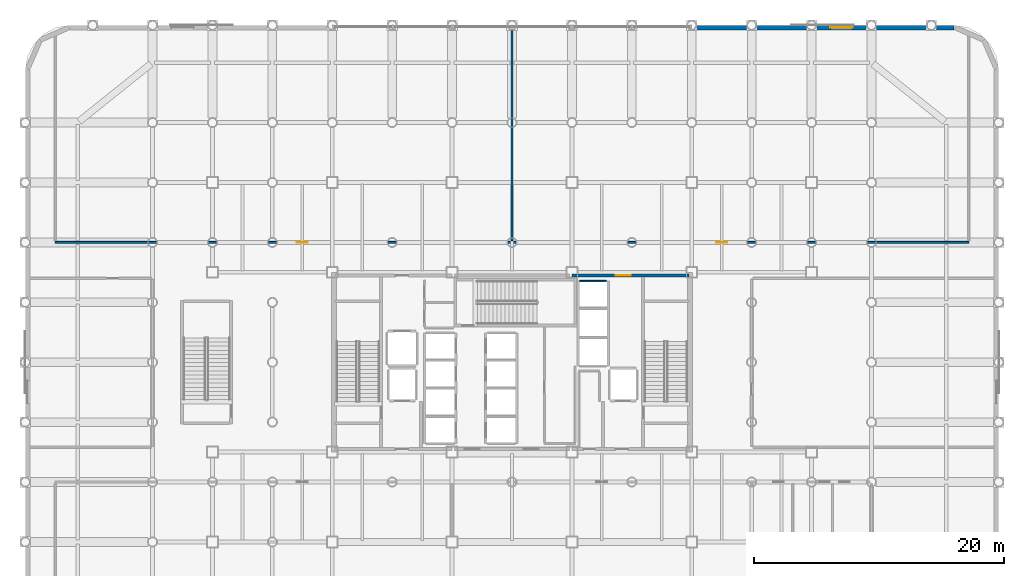
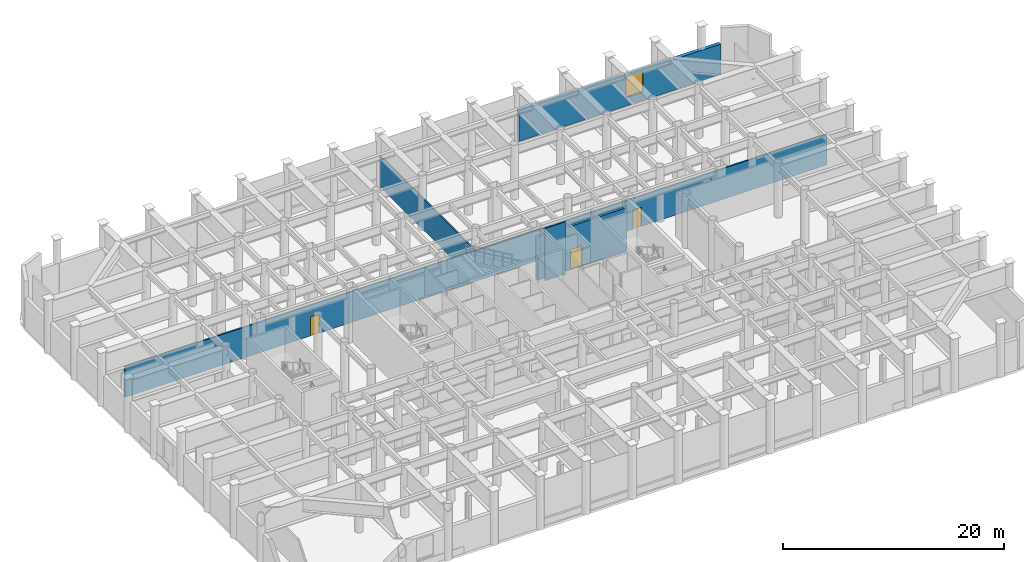
# One storey, part 19 of 26: 5 walls, 3 doors, 1 window, 4 openings.
"""IFC4 building model written with IfcOpenShell, lengths in metres."""

from ifc_helpers import new_model, si_unit, direction, frame, frame_2d, origin, place, context, subcontext, project, spatial, rectangle, extrude, material, layer, layer_set, type_object, element, fill, save


model = new_model("IFC4")

# Units and contexts
model_context = context("Model", 3, precision=1e-05, world=origin(), true_north=direction((0.0, 1.0)))
body_context = subcontext(model_context, "Body", "Model", "MODEL_VIEW")
ifc_project = project(units=[si_unit("LENGTHUNIT", "METRE"), si_unit("AREAUNIT", "SQUARE_METRE"), si_unit("VOLUMEUNIT", "CUBIC_METRE"), si_unit("PLANEANGLEUNIT", "RADIAN"), si_unit("MASSUNIT", "GRAM", prefix="KILO")], contexts=[model_context])

# Site, building, storey
site_placement = place(None, origin())
site = spatial("IfcSite", under=ifc_project, at=site_placement, CompositionType="ELEMENT")
building_placement = place(site_placement, origin())
building = spatial("IfcBuilding", under=site, at=building_placement, Name="Kallvorn Hotel Tower", CompositionType="ELEMENT")
storey_placement = place(building_placement, frame((0.0, 0.0, 6.0)))
storey = spatial("IfcBuildingStorey", under=building, at=storey_placement, Name="L01", CompositionType="ELEMENT", Elevation=6.0)

# Wall, opening, window
ifc_material_1 = material(Name="Precast basalt-clad insulated concrete wall C40/50", Category="masonry")
ifc_layer_1 = layer(ifc_material_1, 0.3798828125)
ifc_layer_set_1 = layer_set([ifc_layer_1], Name="WL_EXT_PODIUM_380")
wall_type_1 = type_object("IfcWallType", Name="WL_EXT_PODIUM_380", PredefinedType="SOLIDWALL", material=ifc_layer_set_1)
wall_1_placement = place(storey_placement, frame((14.35009765625, 26.81005859375, 0.0), z_axis=(0.0, 0.0, 1.0), x_axis=(1.0, 0.0, 0.0)))
wall_1 = element("IfcWall", 1, at=wall_1_placement, inside=storey, type_object=wall_type_1, Name="L01 Podium Exterior Wall EW-L01-NE", PredefinedType="SOLIDWALL", context=body_context, shape_type="SweptSolid", body=[
    extrude(rectangle(XDim=21.0498046875, YDim=0.3798828125, at=frame_2d((10.52490234375, 0.0))), origin(), (0.0, 0.0, 1.0), 3.3798828125),
])
opening_1_placement = place(wall_1_placement, frame((11.14990234375, 0.0, 0.89990234375)))
opening_1 = element("IfcOpeningElement", 2, at=opening_1_placement, cuts=wall_1, Name="Opening W02", PredefinedType="OPENING", context=body_context, shape_type="SweptSolid", body=[
    extrude(rectangle(XDim=1.800048828125, YDim=2.300048828125, at=frame_2d((0.89990234375, 1.14990234375))), frame((0.0, 0.204833984375, 0.0), z_axis=(0.0, -1.0, 0.0), x_axis=(1.0, 0.0, 0.0)), (0.0, 0.0, 1.0), 0.409912109375),
])
ifc_material_2 = material(Name="Double-glazed low-e solar-control dark glass", Category="glass")
window_type = type_object("IfcWindowType", Name="WN_POD_1800x2300", PartitioningType="SINGLE_PANEL", PredefinedType="WINDOW", material=ifc_material_2)
window_placement = place(opening_1_placement, origin())
window = element("IfcWindow", 3, at=window_placement, inside=storey, type_object=window_type, Name="L01 Podium Window EW-L01-NE", OverallHeight=2.300048828125, OverallWidth=1.800048828125, PartitioningType="SINGLE_PANEL", PredefinedType="WINDOW", context=body_context, shape_type="SweptSolid", body=[
    extrude(rectangle(XDim=1.800048828125, YDim=2.300048828125, at=frame_2d((0.89990234375, 1.14990234375))), frame((0.0, 0.030029296875, 0.0), z_axis=(0.0, -1.0, 0.0), x_axis=(1.0, 0.0, 0.0)), (0.0, 0.0, 1.0), 0.06005859375),
])
fill(opening_1, window)

# Wall
ifc_material_3 = material(Name="Fire-rated double-layer acoustic gypsum drywall EI 60")
ifc_layer_2 = layer(ifc_material_3, 0.1201171875)
ifc_layer_set_2 = layer_set([ifc_layer_2], Name="WL_INT_120")
wall_type_2 = type_object("IfcWallType", Name="WL_INT_120", PredefinedType="PARTITIONING", material=ifc_layer_set_2)
wall_2_placement = place(storey_placement, frame((5.43994140625, 6.5, 0.0), z_axis=(0.0, 0.0, 1.0), x_axis=(1.0, 0.0, 0.0)))
element("IfcWall", 4, at=wall_2_placement, inside=storey, type_object=wall_type_2, Name="L01 OB-03 Hoistway Divider", PredefinedType="PARTITIONING", context=body_context, shape_type="SweptSolid", body=[
    extrude(rectangle(XDim=2.1201171875, YDim=0.1201171875, at=frame_2d((1.06005859375, 0.0))), origin(), (0.0, 0.0, 1.0), 5.780029296875),
])

# Wall, openings, doors
ifc_material_4 = material(Name="Fire-rated double-layer acoustic gypsum drywall EI 60")
ifc_layer_3 = layer(ifc_material_4, 0.14990234375)
ifc_layer_set_3 = layer_set([ifc_layer_3], Name="WL_PART_150")
wall_type_3 = type_object("IfcWallType", Name="WL_PART_150", PredefinedType="PARTITIONING", material=ifc_layer_set_3)
wall_3_placement = place(storey_placement, frame((-36.60009765625, 9.60009765625, 0.0), z_axis=(0.0, 0.0, 1.0), x_axis=(1.0, 0.0, 0.0)))
wall_3 = element("IfcWall", 5, at=wall_3_placement, inside=storey, type_object=wall_type_3, Name="L01 Executive Business Centre Open-Plan Office Partition", PredefinedType="PARTITIONING", context=body_context, shape_type="SweptSolid", body=[
    extrude(rectangle(XDim=73.2001953125, YDim=0.14990234375, at=frame_2d((36.60009765625, 0.0))), origin(), (0.0, 0.0, 1.0), 3.3798828125),
])
opening_2_placement = place(wall_3_placement, frame((19.35009765625, 0.0, 0.0)))
opening_2 = element("IfcOpeningElement", 6, at=opening_2_placement, cuts=wall_3, Name="Opening SVD1", PredefinedType="OPENING", context=body_context, shape_type="SweptSolid", body=[
    extrude(rectangle(XDim=0.89990234375, YDim=2.10009765625, at=frame_2d((0.449951171875, 1.050048828125))), frame((0.0, 0.08984375, 0.0), z_axis=(0.0, -1.0, 0.0), x_axis=(1.0, 0.0, 0.0)), (0.0, 0.0, 1.0), 0.179931640625),
])
opening_3_placement = place(wall_3_placement, frame((52.949951171875, 0.0, 0.0)))
opening_3 = element("IfcOpeningElement", 7, at=opening_3_placement, cuts=wall_3, Name="Opening SVD1", PredefinedType="OPENING", context=body_context, shape_type="SweptSolid", body=[
    extrude(rectangle(XDim=0.89990234375, YDim=2.10009765625, at=frame_2d((0.449951171875, 1.050048828125))), frame((0.0, 0.08984375, 0.0), z_axis=(0.0, -1.0, 0.0), x_axis=(1.0, 0.0, 0.0)), (0.0, 0.0, 1.0), 0.179931640625),
])
ifc_material_5 = material(Name="Galvanised painted steel fire-rated door assembly", Category="steel")
door_type_1 = type_object("IfcDoorType", Name="DR_SERV_900x2100", OperationType="NOTDEFINED", PredefinedType="DOOR", material=ifc_material_5)
door_1_placement = place(opening_2_placement, origin())
door_1 = element("IfcDoor", 8, at=door_1_placement, inside=storey, type_object=door_type_1, Name="L01 Executive Business Centre Open-Plan Office Door", OperationType="SINGLE_SWING_RIGHT", OverallHeight=2.10009765625, OverallWidth=0.89990234375, PredefinedType="DOOR", context=body_context, shape_type="SweptSolid", body=[
    extrude(rectangle(XDim=0.89990234375, YDim=2.10009765625, at=frame_2d((0.449951171875, 1.050048828125))), frame((0.0, 0.02490234375, 0.0), z_axis=(0.0, -1.0, 0.0), x_axis=(1.0, 0.0, 0.0)), (0.0, 0.0, 1.0), 0.050048828125),
])
fill(opening_2, door_1)
door_2_placement = place(opening_3_placement, origin())
door_2 = element("IfcDoor", 9, at=door_2_placement, inside=storey, type_object=door_type_1, Name="L01 Hotel Administration Open-Plan Office Door", OperationType="SINGLE_SWING_RIGHT", OverallHeight=2.10009765625, OverallWidth=0.89990234375, PredefinedType="DOOR", context=body_context, shape_type="SweptSolid", body=[
    extrude(rectangle(XDim=0.89990234375, YDim=2.10009765625, at=frame_2d((0.449951171875, 1.050048828125))), frame((0.0, 0.02490234375, 0.0), z_axis=(0.0, -1.0, 0.0), x_axis=(1.0, 0.0, 0.0)), (0.0, 0.0, 1.0), 0.050048828125),
])
fill(opening_3, door_2)

# Wall
wall_4_placement = place(storey_placement, frame((0.0, 9.75, 0.0), z_axis=(0.0, 0.0, 1.0), x_axis=(0.0, 1.0, 0.0)))
element("IfcWall", 10, at=wall_4_placement, inside=storey, type_object=wall_type_3, Name="L01 Executive Business Centre Open-Plan Office Partition", PredefinedType="PARTITIONING", context=body_context, shape_type="SweptSolid", body=[
    extrude(rectangle(XDim=17.044921875, YDim=0.14990234375, at=frame_2d((8.5224609375, 0.0))), origin(), (0.0, 0.0, 1.0), 3.3798828125),
])

# Wall, opening, door
ifc_material_6 = material(Name="Concrete C40/50", Category="concrete")
ifc_layer_4 = layer(ifc_material_6, 0.25)
ifc_layer_set_4 = layer_set([ifc_layer_4], Name="WL_SHAFT_250")
wall_type_4 = type_object("IfcWallType", Name="WL_SHAFT_250", PredefinedType="SOLIDWALL", material=ifc_layer_set_4)
wall_5_placement = place(storey_placement, frame((4.800048828125, 6.949951171875, 0.0), z_axis=(0.0, 0.0, 1.0), x_axis=(1.0, 0.0, 0.0)))
wall_5 = element("IfcWall", 11, at=wall_5_placement, inside=storey, type_object=wall_type_4, Name="L01 Core North-East Wall", PredefinedType="SOLIDWALL", context=body_context, shape_type="SweptSolid", body=[
    extrude(rectangle(XDim=9.39990234375, YDim=0.25, at=frame_2d((4.699951171875, 0.0))), origin(), (0.0, 0.0, 1.0), 4.780029296875),
])
opening_4_placement = place(wall_5_placement, frame((3.5, 0.0, 0.0)))
opening_4 = element("IfcOpeningElement", 12, at=opening_4_placement, cuts=wall_5, Name="Opening FD2", PredefinedType="OPENING", context=body_context, shape_type="SweptSolid", body=[
    extrude(rectangle(XDim=1.199951171875, YDim=2.199951171875, at=frame_2d((0.60009765625, 1.10009765625))), frame((0.0, 0.139892578125, 0.0), z_axis=(0.0, -1.0, 0.0), x_axis=(1.0, 0.0, 0.0)), (0.0, 0.0, 1.0), 0.280029296875),
])
ifc_material_7 = material(Name="Galvanised painted steel fire-rated door assembly", Category="steel")
door_type_2 = type_object("IfcDoorType", Name="DR_LOBBY_1200x2200", OperationType="DOUBLE_DOOR_SINGLE_SWING", PredefinedType="DOOR", material=ifc_material_7)
door_3_placement = place(opening_4_placement, origin())
door_3 = element("IfcDoor", 13, at=door_3_placement, inside=storey, type_object=door_type_2, Name="L01 Observatory Shuttle Lobby Door", OperationType="DOUBLE_DOOR_SINGLE_SWING", OverallHeight=2.199951171875, OverallWidth=1.199951171875, PredefinedType="DOOR", context=body_context, shape_type="SweptSolid", body=[
    extrude(rectangle(XDim=1.199951171875, YDim=2.199951171875, at=frame_2d((0.60009765625, 1.10009765625))), frame((0.0, 0.02490234375, 0.0), z_axis=(0.0, -1.0, 0.0), x_axis=(1.0, 0.0, 0.0)), (0.0, 0.0, 1.0), 0.050048828125),
])
fill(opening_4, door_3)

save(model, "model.ifc")
